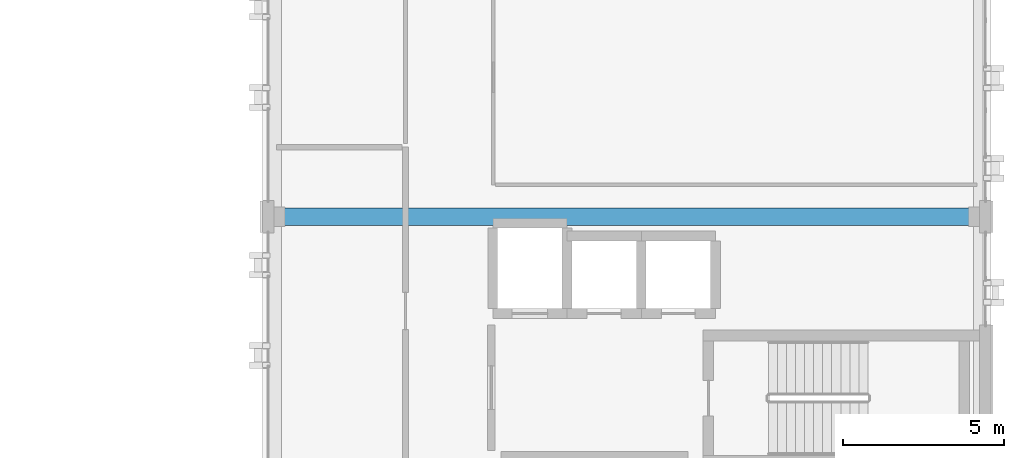
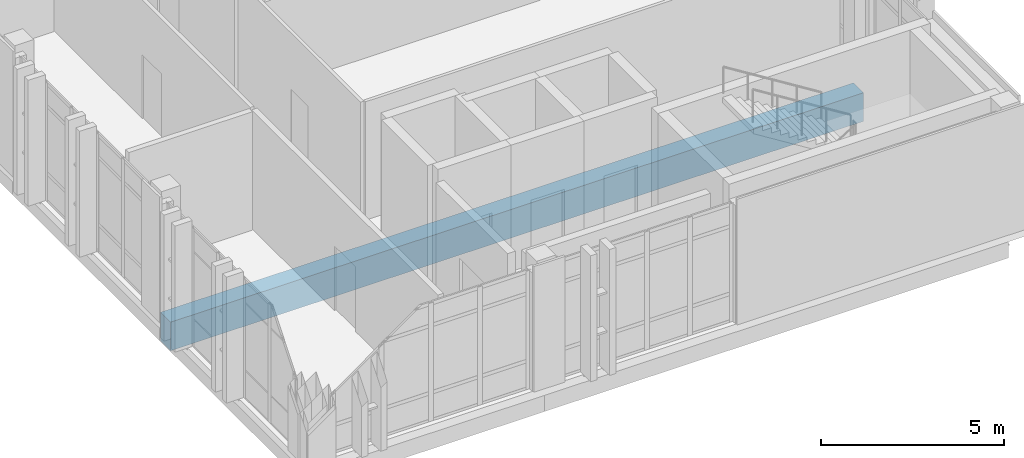
# One storey, part 23 of 48: 1 beam.
"""IFC4 building model written with IfcOpenShell, lengths in metres."""

import ifcopenshell
import ifcopenshell.guid

model = None  # the IFC model being written
_history = None  # IfcOwnerHistory: only IFC2X3 demands one
_inside = {}  # id of a spatial element -> (the spatial element, [elements in it])
_under = {}  # id of a project, library or spatial element -> (it, [spatial elements below it])
_declared = {}  # id of a project -> (the project, [libraries it declares])
_typed = {}  # id of a type object -> (the type object, [elements of that type])
_made_of = {}  # id of a material, layer set ... -> (it, [elements and type objects made of it])


def new_model(schema):
    """Start an empty IFC model of exactly this schema.

    Asked for "IFC4X3", IfcOpenShell would pick the latest addendum, in which some entities
    have other attributes; the version numbers below select the first issue.
    IFC2X3 requires an IfcOwnerHistory on every rooted entity: one is made here for all.
    """
    global model, _history
    if schema == "IFC4X3":
        model = ifcopenshell.file(schema_version=(4, 3, 0, 0))
    else:
        model = ifcopenshell.file(schema=schema)
    _inside.clear()
    _under.clear()
    _declared.clear()
    _typed.clear()
    _made_of.clear()
    _history = None
    if model.schema == "IFC2X3":
        org = make("IfcOrganization", Name="unknown")
        user = make(
            "IfcPersonAndOrganization",
            ThePerson=make("IfcPerson", FamilyName="unknown"),
            TheOrganization=org,
        )
        app = make(
            "IfcApplication",
            ApplicationDeveloper=org,
            Version="unknown",
            ApplicationFullName="unknown",
            ApplicationIdentifier="unknown",
        )
        _history = make(
            "IfcOwnerHistory",
            OwningUser=user,
            OwningApplication=app,
            ChangeAction="ADDED",
            CreationDate=0,
        )
    return model


def make(cls, **values):
    """One entity of the class cls with the attributes given. An attribute that is None is left unset."""
    return model.create_entity(
        cls, **{name: value for name, value in values.items() if value is not None}
    )


def rooted(cls, **values):
    """An entity with a GlobalId (a new one), such as an element, a storey or a relation."""
    return make(cls, GlobalId=ifcopenshell.guid.new(), OwnerHistory=_history, **values)


def si_unit(unit_type, name, prefix=None):
    """IfcSIUnit, for example si_unit("LENGTHUNIT", "METRE", prefix="MILLI")."""
    return make("IfcSIUnit", UnitType=unit_type, Prefix=prefix, Name=name)


def assignment(units):
    """IfcUnitAssignment: the units of a project."""
    return None if units is None else make("IfcUnitAssignment", Units=units)


def point(xyz):
    """IfcCartesianPoint."""
    return None if xyz is None else make("IfcCartesianPoint", Coordinates=xyz)


def direction(xyz):
    """IfcDirection."""
    return None if xyz is None else make("IfcDirection", DirectionRatios=xyz)


def frame(location, z_axis=None, x_axis=None):
    """IfcAxis2Placement3D, a coordinate frame: its origin and axes. An axis left out is left unset."""
    return make(
        "IfcAxis2Placement3D",
        Location=point(location),
        Axis=direction(z_axis),
        RefDirection=direction(x_axis),
    )


def frame_2d(location, x_axis=None):
    """IfcAxis2Placement2D, a coordinate frame in the plane: its origin and x axis."""
    return make(
        "IfcAxis2Placement2D", Location=point(location), RefDirection=direction(x_axis)
    )


def origin():
    """The frame at (0, 0, 0) with its axes left unset."""
    return frame((0.0, 0.0, 0.0))


def origin_2d():
    """The frame at (0, 0) in the plane with its x axis left unset."""
    return frame_2d((0.0, 0.0))


def place(relative_to, where):
    """IfcLocalPlacement: puts the frame where relative to a parent placement (None: the world)."""
    return make(
        "IfcLocalPlacement", PlacementRelTo=relative_to, RelativePlacement=where
    )


def context(
    kind, dimensions, precision=None, world=None, true_north=None, identifier=None
):
    """IfcGeometricRepresentationContext, for example the 3D "Model" context."""
    return make(
        "IfcGeometricRepresentationContext",
        ContextIdentifier=identifier,
        ContextType=kind,
        CoordinateSpaceDimension=dimensions,
        Precision=precision,
        WorldCoordinateSystem=world,
        TrueNorth=true_north,
    )


def subcontext(parent, identifier, kind, view, scale=None):
    """IfcGeometricRepresentationSubContext, for example "Body" below "Model"."""
    return make(
        "IfcGeometricRepresentationSubContext",
        ContextIdentifier=identifier,
        ContextType=kind,
        ParentContext=parent,
        TargetScale=scale,
        TargetView=view,
    )


def project(units=None, contexts=None):
    """IfcProject with its units and contexts."""
    return rooted(
        "IfcProject",
        Name="project",
        RepresentationContexts=contexts,
        UnitsInContext=assignment(units),
    )


def spatial(cls, under=None, at=None, **own):
    """A site, building, storey or space (cls), placed at a placement, below another one or the project."""
    s = rooted(cls, ObjectPlacement=at, **own)
    if under is not None:
        _under.setdefault(under.id(), (under, []))[1].append(s)
    return s


def profile(cls, at=None, kind="AREA", **sizes):
    """A parametric profile (cls). Its sizes go by their IFC names, for example OverallWidth=200.0."""
    return make(cls, ProfileType=kind, Position=at, **sizes)


def rectangle(**sizes):
    """IfcRectangleProfileDef."""
    return profile("IfcRectangleProfileDef", **sizes)


def extrude(swept, where, along, depth):
    """IfcExtrudedAreaSolid: the profile swept, set in the frame where, extruded along a direction by depth."""
    return make(
        "IfcExtrudedAreaSolid",
        SweptArea=swept,
        Position=where,
        ExtrudedDirection=direction(along),
        Depth=depth,
    )


def shape(context_of_items, identifier, shape_type, items):
    """IfcShapeRepresentation: the items that make up one representation, for example the "Body"."""
    return make(
        "IfcShapeRepresentation",
        ContextOfItems=context_of_items,
        RepresentationIdentifier=identifier,
        RepresentationType=shape_type,
        Items=items,
    )


def material(Name=None, Category=None):
    """IfcMaterial."""
    return make("IfcMaterial", Name=Name, Category=Category)


def material_profile(
    of_material, cross_section, Name=None, Category=None, Priority=None
):
    """IfcMaterialProfile: a cross section and its material."""
    return make(
        "IfcMaterialProfile",
        Name=Name,
        Material=of_material,
        Profile=cross_section,
        Priority=Priority,
        Category=Category,
    )


def profile_set(profiles, Name=None, composite=None):
    """IfcMaterialProfileSet."""
    return make(
        "IfcMaterialProfileSet",
        Name=Name,
        MaterialProfiles=profiles,
        CompositeProfile=composite,
    )


def made_of(thing, what):
    """Note that an element or type object is made of a material, layer set ...; save() writes the relation."""
    if what is not None:
        _made_of.setdefault(what.id(), (what, []))[1].append(thing)
    return thing


def type_object(cls, material=None, **own):
    """A type object (cls), such as IfcWallType, which elements share."""
    return made_of(rooted(cls, **own), material)


def element(
    cls,
    number,
    at=None,
    inside=None,
    cuts=None,
    type_object=None,
    material=None,
    context=None,
    identifier="Body",
    shape_type=None,
    held_by="IfcProductDefinitionShape",
    body=None,
    shapes=None,
    **own,
):
    """One element of the class cls, such as IfcWall. Its Tag is "e" and its number.

    at: its placement. inside: the storey or other place that contains it. cuts: it is an
    opening in that element (IfcRelVoidsElement). A single representation is given by context,
    identifier, shape_type and body (its items); several are given by shapes. held_by: the class
    of the entity that holds the representations. save() writes the other relations.
    """
    e = rooted(cls, Tag="e%d" % number, ObjectPlacement=at, **own)
    if body is not None:
        shapes = [shape(context, identifier, shape_type, body)]
    if shapes is not None:
        e.Representation = make(held_by, Representations=shapes)
    if inside is not None:
        _inside.setdefault(inside.id(), (inside, []))[1].append(e)
    if cuts is not None:
        rooted(
            "IfcRelVoidsElement", RelatingBuildingElement=cuts, RelatedOpeningElement=e
        )
    if type_object is not None:
        _typed.setdefault(type_object.id(), (type_object, []))[1].append(e)
    return made_of(e, material)


def aggregate(whole, parts):
    """IfcRelAggregates: a whole, such as a stair, and the parts it consists of."""
    return rooted("IfcRelAggregates", RelatingObject=whole, RelatedObjects=parts)


def save(model, path):
    """Write the relations noted so far, then the file.

    IfcRelAggregates (storeys below a building ...), IfcRelContainedInSpatialStructure (elements
    in a storey), IfcRelDefinesByType, IfcRelAssociatesMaterial and IfcRelDeclares: one each for
    every whole, place, type object, material and project.
    """
    for whole, parts in _under.values():
        aggregate(whole, parts)
    for where, things in _inside.values():
        rooted(
            "IfcRelContainedInSpatialStructure",
            RelatedElements=things,
            RelatingStructure=where,
        )
    for kind, things in _typed.values():
        rooted("IfcRelDefinesByType", RelatedObjects=things, RelatingType=kind)
    for what, things in _made_of.values():
        rooted("IfcRelAssociatesMaterial", RelatedObjects=things, RelatingMaterial=what)
    for by, libraries in _declared.values():
        rooted("IfcRelDeclares", RelatingContext=by, RelatedDefinitions=libraries)
    model.write(path)


model = new_model("IFC4")

# Units and contexts
model_context = context("Model", 3, precision=1e-05, world=origin(), true_north=direction((0.0, 1.0)))
body_context = subcontext(model_context, "Body", "Model", "MODEL_VIEW")
ifc_project = project(units=[si_unit("LENGTHUNIT", "METRE"), si_unit("AREAUNIT", "SQUARE_METRE"), si_unit("VOLUMEUNIT", "CUBIC_METRE"), si_unit("PLANEANGLEUNIT", "RADIAN"), si_unit("MASSUNIT", "GRAM", prefix="KILO")], contexts=[model_context])

# Site, building, storey
site_placement = place(None, origin())
site = spatial("IfcSite", under=ifc_project, at=site_placement, CompositionType="ELEMENT")
building_placement = place(site_placement, origin())
building = spatial("IfcBuilding", under=site, at=building_placement, Name="Qalavern Law Courts", CompositionType="ELEMENT")
storey_placement = place(building_placement, frame((0.0, 0.0, 31.199951171875)))
storey = spatial("IfcBuildingStorey", under=building, at=storey_placement, Name="L07", CompositionType="ELEMENT", Elevation=31.199951171875)

# Beam
ifc_material = material(Name="Concrete C40/50", Category="concrete")
ifc_material_profile = material_profile(ifc_material, rectangle(XDim=0.550048828125, YDim=0.949951171875, at=origin_2d()), Name="RC 550x950")
ifc_profile_set = profile_set([ifc_material_profile], Name="Concrete C40/50")
beam_type = type_object("IfcBeamType", Name="STR-BM-RC550x950", PredefinedType="BEAM", material=ifc_profile_set)
beam_placement = place(storey_placement, frame((84.60009765625, 49.39990234375, -0.739990234375), z_axis=(1.0, 0.0, 0.0), x_axis=(0.0, 1.0, 0.0)))
element("IfcBeam", 1, at=beam_placement, inside=storey, type_object=beam_type, Name="V4 X-beam 2-1 L07", PredefinedType="BEAM", context=body_context, shape_type="SweptSolid", body=[
    extrude(rectangle(XDim=0.550048828125, YDim=0.949951171875, at=origin_2d()), origin(), (0.0, 0.0, 1.0), 21.7998046875),
])

save(model, "model.ifc")
